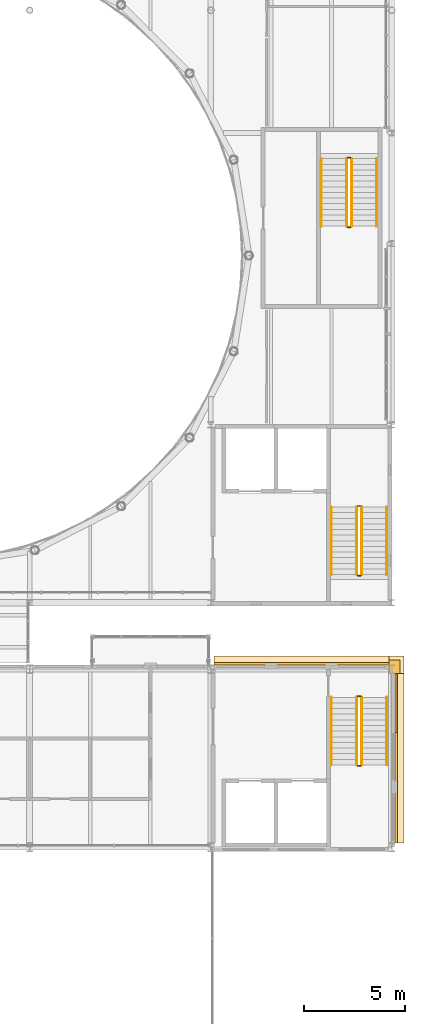
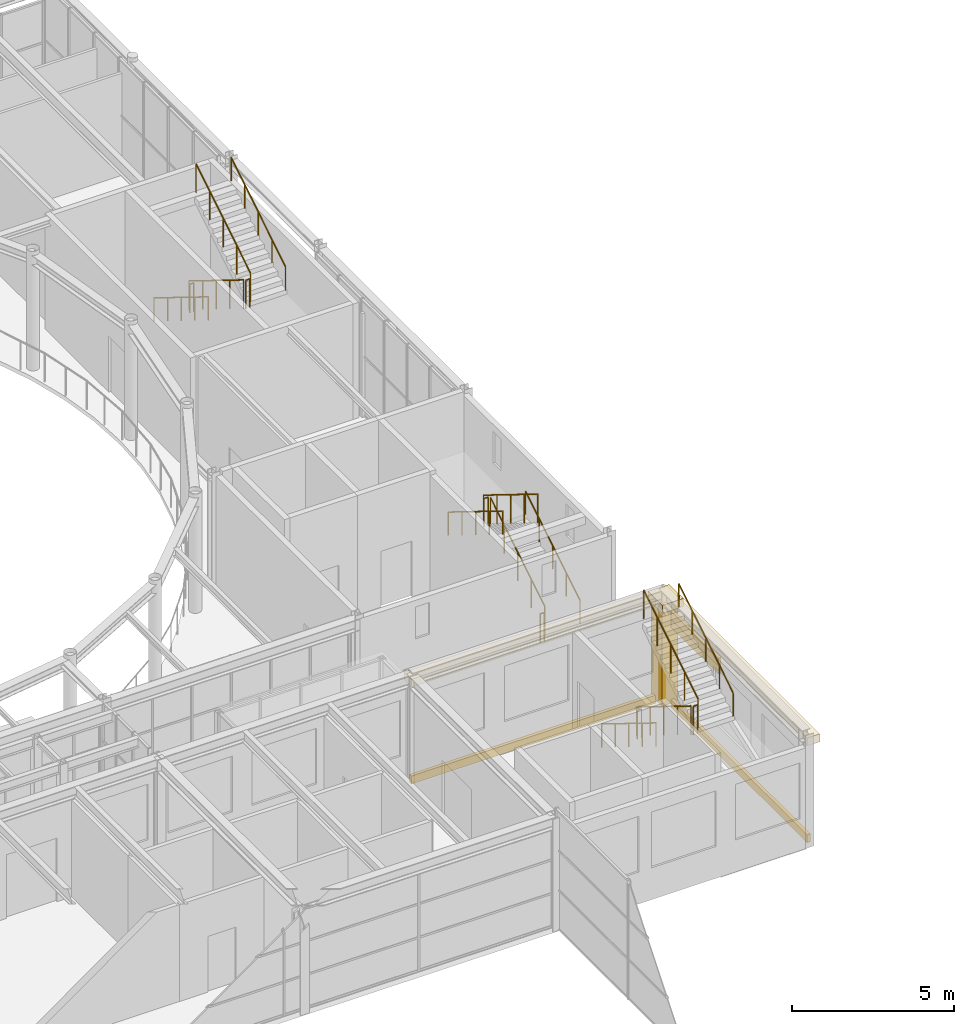
# One storey, part 68 of 70: 18 railings, 8 coverings.
"""IFC4 building model written with IfcOpenShell, lengths in metres."""

from ifc_helpers import new_model, si_unit, direction, frame, origin, origin_2d, place, context, subcontext, project, spatial, rectangle, circle, extrude, material, layer, layer_set, type_object, element, save


model = new_model("IFC4")

# Units and contexts
model_context = context("Model", 3, precision=1e-05, world=origin(), true_north=direction((0.0, 1.0)))
body_context = subcontext(model_context, "Body", "Model", "MODEL_VIEW")
ifc_project = project(units=[si_unit("LENGTHUNIT", "METRE"), si_unit("AREAUNIT", "SQUARE_METRE"), si_unit("VOLUMEUNIT", "CUBIC_METRE"), si_unit("PLANEANGLEUNIT", "RADIAN"), si_unit("MASSUNIT", "GRAM", prefix="KILO")], contexts=[model_context])

# Site, building, storey
site_placement = place(None, origin())
site = spatial("IfcSite", under=ifc_project, at=site_placement, CompositionType="ELEMENT")
building_placement = place(site_placement, origin())
building = spatial("IfcBuilding", under=site, at=building_placement, Name="Kallimachos Central Library", CompositionType="ELEMENT")
storey_placement = place(building_placement, frame((0.0, 0.0, 18.89990234375)))
storey = spatial("IfcBuildingStorey", under=building, at=storey_placement, Name="L04", CompositionType="ELEMENT", Elevation=18.89990234375)

# Coverings
ifc_material_1 = material(Name="Glazed ceramic frieze, green")
ifc_layer_1 = layer(ifc_material_1, 0.10009765625)
ifc_layer_set_1 = layer_set([ifc_layer_1], Name="Glazed ceramic frieze, green")
covering_type_1 = type_object("IfcCoveringType", Name="Glazed ceramic frieze, green", PredefinedType="CLADDING", material=ifc_layer_set_1)
covering_1_placement = place(storey_placement, frame((110.70361328125, 82.1669921875, 3.18017578125), z_axis=(0.0, 0.0, 1.0), x_axis=(1.0, 0.0, 0.0)))
element("IfcCovering", 1, at=covering_1_placement, inside=storey, type_object=covering_type_1, Name="Glazed ceramic frieze, green -L04-021", PredefinedType="CLADDING", context=body_context, shape_type="SweptSolid", body=[
    extrude(rectangle(XDim=0.10009765625, YDim=2.93408203125, at=origin_2d()), origin(), (0.0, 0.0, 1.0), 0.300048828125),
])
ifc_material_2 = material(Name="Glazed ceramic frieze, ochre")
ifc_layer_2 = layer(ifc_material_2, 0.10009765625)
ifc_layer_set_2 = layer_set([ifc_layer_2], Name="Glazed ceramic frieze, ochre")
covering_type_2 = type_object("IfcCoveringType", Name="Glazed ceramic frieze, ochre", PredefinedType="CLADDING", material=ifc_layer_set_2)
covering_2_placement = place(storey_placement, frame((110.70361328125, 82.1669921875, 2.8798828125), z_axis=(0.0, 0.0, 1.0), x_axis=(1.0, 0.0, 0.0)))
element("IfcCovering", 2, at=covering_2_placement, inside=storey, type_object=covering_type_2, Name="Glazed ceramic frieze, ochre -L04-021", PredefinedType="CLADDING", context=body_context, shape_type="SweptSolid", body=[
    extrude(rectangle(XDim=0.10009765625, YDim=2.93408203125, at=origin_2d()), origin(), (0.0, 0.0, 1.0), 0.300048828125),
])

# Railings
ifc_material_3 = material(Name="Wrought iron")
railing_type_1 = type_object("IfcRailingType", Name="Stair guard", PredefinedType="GUARDRAIL", material=ifc_material_3)
railing_1_placement = place(storey_placement, frame((108.75, 82.449951171875, 0.173095703125)))
element("IfcRailing", 3, at=railing_1_placement, inside=storey, type_object=railing_type_1, Name="L04 ST10 stair guard 1", PredefinedType="GUARDRAIL", context=body_context, shape_type="SweptSolid", body=[
    extrude(circle(Radius=0.02392578125, at=origin_2d()), frame((0.0, 0.0, 1.076171875), z_axis=(0.0, -0.850606129759, 0.525803396734), x_axis=(1.0, 0.0, 0.0)), (0.0, 0.0, 1.0), 3.949951171875),
    extrude(circle(Radius=0.02099609375, at=origin_2d()), origin(), (0.0, 0.0, 1.0), 1.052001953125),
    extrude(circle(Radius=0.02099609375, at=origin_2d()), frame((0.0, -0.83984375, 0.519287109375)), (0.0, 0.0, 1.0), 1.052001953125),
    extrude(circle(Radius=0.02099609375, at=origin_2d()), frame((0.0, -1.679931640625, 1.03857421875)), (0.0, 0.0, 1.0), 1.052001953125),
    extrude(circle(Radius=0.02099609375, at=origin_2d()), frame((0.0, -2.52001953125, 1.5576171875)), (0.0, 0.0, 1.0), 1.052001953125),
    extrude(circle(Radius=0.02099609375, at=origin_2d()), frame((0.0, -3.35986328125, 2.076904296875)), (0.0, 0.0, 1.0), 1.052001953125),
])
railing_2_placement = place(storey_placement, frame((108.800048828125, 79.0400390625, 2.25)))
element("IfcRailing", 4, at=railing_2_placement, inside=storey, type_object=railing_type_1, Name="L04 ST10 stair guard 2", PredefinedType="GUARDRAIL", context=body_context, shape_type="SweptSolid", body=[
    extrude(circle(Radius=0.02392578125, at=origin_2d()), frame((0.0, 0.0, 1.076171875), z_axis=(1.0, 0.0, 0.0), x_axis=(0.0, 1.0, 0.0)), (0.0, 0.0, 1.0), 0.14990234375),
    extrude(circle(Radius=0.02099609375, at=origin_2d()), origin(), (0.0, 0.0, 1.0), 1.052001953125),
    extrude(circle(Radius=0.02099609375, at=origin_2d()), frame((0.14990234375, 0.0, 0.0)), (0.0, 0.0, 1.0), 1.052001953125),
])
railing_3_placement = place(storey_placement, frame((109.0, 79.090087890625, 2.423095703125)))
element("IfcRailing", 5, at=railing_3_placement, inside=storey, type_object=railing_type_1, Name="L04 ST10 stair guard 3", PredefinedType="GUARDRAIL", context=body_context, shape_type="SweptSolid", body=[
    extrude(circle(Radius=0.02392578125, at=origin_2d()), frame((0.0, 0.0, 1.076171875), z_axis=(0.0, 0.850606129759, 0.525803396734), x_axis=(-1.0, 0.0, 0.0)), (0.0, 0.0, 1.0), 3.949951171875),
    extrude(circle(Radius=0.02099609375, at=origin_2d()), origin(), (0.0, 0.0, 1.0), 1.052001953125),
    extrude(circle(Radius=0.02099609375, at=origin_2d()), frame((0.0, 0.83984375, 0.519287109375)), (0.0, 0.0, 1.0), 1.052001953125),
    extrude(circle(Radius=0.02099609375, at=origin_2d()), frame((0.0, 1.679931640625, 1.03857421875)), (0.0, 0.0, 1.0), 1.052001953125),
    extrude(circle(Radius=0.02099609375, at=origin_2d()), frame((0.0, 2.52001953125, 1.5576171875)), (0.0, 0.0, 1.0), 1.052001953125),
    extrude(circle(Radius=0.02099609375, at=origin_2d()), frame((0.0, 3.35986328125, 2.076904296875)), (0.0, 0.0, 1.0), 1.052001953125),
])
railing_4_placement = place(storey_placement, frame((108.800048828125, 82.5, 0.0)))
element("IfcRailing", 6, at=railing_4_placement, inside=storey, type_object=railing_type_1, Name="L04 ST10 stair guard 4", PredefinedType="GUARDRAIL", context=body_context, shape_type="SweptSolid", body=[
    extrude(circle(Radius=0.02392578125, at=origin_2d()), frame((0.0, 0.0, 1.076171875), z_axis=(1.0, 0.0, 0.0), x_axis=(0.0, 1.0, 0.0)), (0.0, 0.0, 1.0), 0.14990234375),
    extrude(circle(Radius=0.02099609375, at=origin_2d()), origin(), (0.0, 0.0, 1.0), 1.052001953125),
    extrude(circle(Radius=0.02099609375, at=origin_2d()), frame((0.14990234375, 0.0, 0.0)), (0.0, 0.0, 1.0), 1.052001953125),
])
ifc_material_4 = material(Name="Wrought iron")
railing_type_2 = type_object("IfcRailingType", Name="Stair handrail", PredefinedType="HANDRAIL", material=ifc_material_4)
railing_5_placement = place(storey_placement, frame((107.5, 82.449951171875, 0.173095703125)))
element("IfcRailing", 7, at=railing_5_placement, inside=storey, type_object=railing_type_2, Name="L04 ST10 stair handrail 1", PredefinedType="HANDRAIL", context=body_context, shape_type="SweptSolid", body=[
    extrude(circle(Radius=0.02392578125, at=origin_2d()), frame((0.0, 0.0, 0.8759765625), z_axis=(0.0, -0.850606129759, 0.525803396734), x_axis=(1.0, 0.0, 0.0)), (0.0, 0.0, 1.0), 3.949951171875),
    extrude(circle(Radius=0.02099609375, at=origin_2d()), origin(), (0.0, 0.0, 1.0), 0.851806640625),
    extrude(circle(Radius=0.02099609375, at=origin_2d()), frame((0.0, -0.83984375, 0.519287109375)), (0.0, 0.0, 1.0), 0.851806640625),
    extrude(circle(Radius=0.02099609375, at=origin_2d()), frame((0.0, -1.679931640625, 1.03857421875)), (0.0, 0.0, 1.0), 0.851806640625),
    extrude(circle(Radius=0.02099609375, at=origin_2d()), frame((0.0, -2.52001953125, 1.5576171875)), (0.0, 0.0, 1.0), 0.851806640625),
    extrude(circle(Radius=0.02099609375, at=origin_2d()), frame((0.0, -3.35986328125, 2.076904296875)), (0.0, 0.0, 1.0), 0.851806640625),
])
railing_6_placement = place(storey_placement, frame((110.25, 79.090087890625, 2.423095703125)))
element("IfcRailing", 8, at=railing_6_placement, inside=storey, type_object=railing_type_2, Name="L04 ST10 stair handrail 2", PredefinedType="HANDRAIL", context=body_context, shape_type="SweptSolid", body=[
    extrude(circle(Radius=0.02392578125, at=origin_2d()), frame((0.0, 0.0, 0.8759765625), z_axis=(0.0, 0.850606129759, 0.525803396734), x_axis=(-1.0, 0.0, 0.0)), (0.0, 0.0, 1.0), 3.949951171875),
    extrude(circle(Radius=0.02099609375, at=origin_2d()), origin(), (0.0, 0.0, 1.0), 0.851806640625),
    extrude(circle(Radius=0.02099609375, at=origin_2d()), frame((0.0, 0.83984375, 0.519287109375)), (0.0, 0.0, 1.0), 0.851806640625),
    extrude(circle(Radius=0.02099609375, at=origin_2d()), frame((0.0, 1.679931640625, 1.03857421875)), (0.0, 0.0, 1.0), 0.851806640625),
    extrude(circle(Radius=0.02099609375, at=origin_2d()), frame((0.0, 2.52001953125, 1.5576171875)), (0.0, 0.0, 1.0), 0.851806640625),
    extrude(circle(Radius=0.02099609375, at=origin_2d()), frame((0.0, 3.35986328125, 2.076904296875)), (0.0, 0.0, 1.0), 0.851806640625),
])

# Coverings
ifc_material_5 = material(Name="Pentelic marble attic moulding", Category="masonry")
ifc_layer_3 = layer(ifc_material_5, 0.1201171875)
ifc_layer_set_3 = layer_set([ifc_layer_3], Name="Stone attic moulding 300")
covering_type_3 = type_object("IfcCoveringType", Name="Stone attic moulding 300", PredefinedType="MOLDING", material=ifc_layer_set_3)
covering_3_placement = place(storey_placement, frame((106.0, 84.1259765625, -0.14990234375), z_axis=(0.0, 0.0, 1.0), x_axis=(1.0, 0.0, 0.0)))
element("IfcCovering", 9, at=covering_3_placement, inside=storey, type_object=covering_type_3, Name="Stone attic moulding 300 -L04-019", PredefinedType="MOLDING", context=body_context, shape_type="SweptSolid", body=[
    extrude(rectangle(XDim=8.693115234375, YDim=0.1201171875, at=origin_2d()), origin(), (0.0, 0.0, 1.0), 0.300048828125),
])
covering_4_placement = place(storey_placement, frame((110.71337890625, 79.425048828125, -0.14990234375), z_axis=(0.0, 0.0, 1.0), x_axis=(1.0, 0.0, 0.0)))
element("IfcCovering", 10, at=covering_4_placement, inside=storey, type_object=covering_type_3, Name="Stone attic moulding 300 -L04-021", PredefinedType="MOLDING", context=body_context, shape_type="SweptSolid", body=[
    extrude(rectangle(XDim=0.1201171875, YDim=8.41796875, at=origin_2d()), origin(), (0.0, 0.0, 1.0), 0.300048828125),
])
ifc_material_6 = material(Name="Pentelic marble cornice", Category="masonry")
ifc_layer_4 = layer(ifc_material_6, 0.449951171875)
ifc_layer_set_4 = layer_set([ifc_layer_4], Name="Stone cornice 450")
covering_type_4 = type_object("IfcCoveringType", Name="Stone cornice 450", PredefinedType="MOLDING", material=ifc_layer_set_4)
covering_5_placement = place(storey_placement, frame((106.0, 84.291015625, 3.5), z_axis=(0.0, 0.0, 1.0), x_axis=(1.0, 0.0, 0.0)))
element("IfcCovering", 11, at=covering_5_placement, inside=storey, type_object=covering_type_4, Name="Stone cornice 450 -L04-019", PredefinedType="MOLDING", context=body_context, shape_type="SweptSolid", body=[
    extrude(rectangle(XDim=8.693115234375, YDim=0.449951171875, at=origin_2d()), origin(), (0.0, 0.0, 1.0), 0.300048828125),
])
covering_6_placement = place(storey_placement, frame((110.87841796875, 79.425048828125, 3.5), z_axis=(0.0, 0.0, 1.0), x_axis=(1.0, 0.0, 0.0)))
element("IfcCovering", 12, at=covering_6_placement, inside=storey, type_object=covering_type_4, Name="Stone cornice 450 -L04-021", PredefinedType="MOLDING", context=body_context, shape_type="SweptSolid", body=[
    extrude(rectangle(XDim=0.449951171875, YDim=8.41796875, at=origin_2d()), origin(), (0.0, 0.0, 1.0), 0.300048828125),
])
covering_7_placement = place(storey_placement, frame((110.72509765625, 84.074951171875, 3.5), z_axis=(0.0, 0.0, 1.0), x_axis=(1.0, 0.0, 0.0)))
element("IfcCovering", 13, at=covering_7_placement, inside=storey, type_object=covering_type_4, Name="Stone cornice 450 corner", PredefinedType="MOLDING", context=body_context, shape_type="SweptSolid", body=[
    extrude(rectangle(XDim=0.757080078125, YDim=0.882080078125, at=origin_2d()), origin(), (0.0, 0.0, 1.0), 0.300048828125),
])
ifc_material_7 = material(Name="Pentelic marble pilaster", Category="masonry")
ifc_layer_5 = layer(ifc_material_7, 0.25)
ifc_layer_set_5 = layer_set([ifc_layer_5], Name="Stone pilaster 250")
covering_type_5 = type_object("IfcCoveringType", Name="Stone pilaster 250", PredefinedType="CLADDING", material=ifc_layer_set_5)
covering_8_placement = place(storey_placement, frame((110.625, 83.97509765625, 0.0), z_axis=(0.0, 0.0, 1.0), x_axis=(1.0, 0.0, 0.0)))
element("IfcCovering", 14, at=covering_8_placement, inside=storey, type_object=covering_type_5, Name="Stone pilaster 250 corner", PredefinedType="CLADDING", context=body_context, shape_type="SweptSolid", body=[
    extrude(rectangle(XDim=0.556884765625, YDim=0.681884765625, at=origin_2d()), origin(), (0.0, 0.0, 1.0), 3.5),
])

# Railings
ifc_material_8 = material(Name="Wrought iron")
railing_type_3 = type_object("IfcRailingType", Name="Wrought-iron handrail 900", PredefinedType="HANDRAIL", material=ifc_material_8)
railing_7_placement = place(storey_placement, frame((110.25, 88.550048828125, 0.173095703125)))
element("IfcRailing", 15, at=railing_7_placement, inside=storey, type_object=railing_type_3, Name="L04 ST2 stair handrail 1", PredefinedType="HANDRAIL", context=body_context, shape_type="SweptSolid", body=[
    extrude(circle(Radius=0.02392578125, at=origin_2d()), frame((0.0, 0.0, 0.8759765625), z_axis=(0.0, 0.850606129759, 0.525803396734), x_axis=(-1.0, 0.0, 0.0)), (0.0, 0.0, 1.0), 3.949951171875),
    extrude(circle(Radius=0.02099609375, at=origin_2d()), origin(), (0.0, 0.0, 1.0), 0.851806640625),
    extrude(circle(Radius=0.02099609375, at=origin_2d()), frame((0.0, 0.83984375, 0.519287109375)), (0.0, 0.0, 1.0), 0.851806640625),
    extrude(circle(Radius=0.02099609375, at=origin_2d()), frame((0.0, 1.679931640625, 1.03857421875)), (0.0, 0.0, 1.0), 0.851806640625),
    extrude(circle(Radius=0.02099609375, at=origin_2d()), frame((0.0, 2.52001953125, 1.5576171875)), (0.0, 0.0, 1.0), 0.851806640625),
    extrude(circle(Radius=0.02099609375, at=origin_2d()), frame((0.0, 3.35986328125, 2.076904296875)), (0.0, 0.0, 1.0), 0.851806640625),
])
railing_8_placement = place(storey_placement, frame((107.5, 91.909912109375, 2.423095703125)))
element("IfcRailing", 16, at=railing_8_placement, inside=storey, type_object=railing_type_3, Name="L04 ST2 stair handrail 2", PredefinedType="HANDRAIL", context=body_context, shape_type="SweptSolid", body=[
    extrude(circle(Radius=0.02392578125, at=origin_2d()), frame((0.0, 0.0, 0.8759765625), z_axis=(0.0, -0.850606129759, 0.525803396734), x_axis=(1.0, 0.0, 0.0)), (0.0, 0.0, 1.0), 3.949951171875),
    extrude(circle(Radius=0.02099609375, at=origin_2d()), origin(), (0.0, 0.0, 1.0), 0.851806640625),
    extrude(circle(Radius=0.02099609375, at=origin_2d()), frame((0.0, -0.83984375, 0.519287109375)), (0.0, 0.0, 1.0), 0.851806640625),
    extrude(circle(Radius=0.02099609375, at=origin_2d()), frame((0.0, -1.679931640625, 1.03857421875)), (0.0, 0.0, 1.0), 0.851806640625),
    extrude(circle(Radius=0.02099609375, at=origin_2d()), frame((0.0, -2.52001953125, 1.5576171875)), (0.0, 0.0, 1.0), 0.851806640625),
    extrude(circle(Radius=0.02099609375, at=origin_2d()), frame((0.0, -3.35986328125, 2.076904296875)), (0.0, 0.0, 1.0), 0.851806640625),
])
railing_9_placement = place(storey_placement, frame((107.0, 109.22509765625, 0.173095703125)))
element("IfcRailing", 17, at=railing_9_placement, inside=storey, type_object=railing_type_3, Name="L04 ST4 stair handrail 1", PredefinedType="HANDRAIL", context=body_context, shape_type="SweptSolid", body=[
    extrude(circle(Radius=0.02392578125, at=origin_2d()), frame((0.0, 0.0, 0.8759765625), z_axis=(0.0, -0.850623216509, 0.525775754039), x_axis=(1.0, 0.0, 0.0)), (0.0, 0.0, 1.0), 3.9501953125),
    extrude(circle(Radius=0.02099609375, at=origin_2d()), origin(), (0.0, 0.0, 1.0), 0.851806640625),
    extrude(circle(Radius=0.02099609375, at=origin_2d()), frame((0.0, -0.840087890625, 0.519287109375)), (0.0, 0.0, 1.0), 0.851806640625),
    extrude(circle(Radius=0.02099609375, at=origin_2d()), frame((0.0, -1.68017578125, 1.03857421875)), (0.0, 0.0, 1.0), 0.851806640625),
    extrude(circle(Radius=0.02099609375, at=origin_2d()), frame((0.0, -2.52001953125, 1.5576171875)), (0.0, 0.0, 1.0), 0.851806640625),
    extrude(circle(Radius=0.02099609375, at=origin_2d()), frame((0.0, -3.360107421875, 2.076904296875)), (0.0, 0.0, 1.0), 0.851806640625),
])
railing_10_placement = place(storey_placement, frame((109.75, 105.864990234375, 2.423095703125)))
element("IfcRailing", 18, at=railing_10_placement, inside=storey, type_object=railing_type_3, Name="L04 ST4 stair handrail 2", PredefinedType="HANDRAIL", context=body_context, shape_type="SweptSolid", body=[
    extrude(circle(Radius=0.02392578125, at=origin_2d()), frame((0.0, 0.0, 0.8759765625), z_axis=(0.0, 0.850623216509, 0.525775754039), x_axis=(-1.0, 0.0, 0.0)), (0.0, 0.0, 1.0), 3.9501953125),
    extrude(circle(Radius=0.02099609375, at=origin_2d()), origin(), (0.0, 0.0, 1.0), 0.851806640625),
    extrude(circle(Radius=0.02099609375, at=origin_2d()), frame((0.0, 0.840087890625, 0.519287109375)), (0.0, 0.0, 1.0), 0.851806640625),
    extrude(circle(Radius=0.02099609375, at=origin_2d()), frame((0.0, 1.68017578125, 1.03857421875)), (0.0, 0.0, 1.0), 0.851806640625),
    extrude(circle(Radius=0.02099609375, at=origin_2d()), frame((0.0, 2.52001953125, 1.5576171875)), (0.0, 0.0, 1.0), 0.851806640625),
    extrude(circle(Radius=0.02099609375, at=origin_2d()), frame((0.0, 3.360107421875, 2.076904296875)), (0.0, 0.0, 1.0), 0.851806640625),
])
ifc_material_9 = material(Name="Wrought iron")
railing_type_4 = type_object("IfcRailingType", Name="Wrought-iron stair guard 1100", PredefinedType="GUARDRAIL", material=ifc_material_9)
railing_11_placement = place(storey_placement, frame((109.0, 88.550048828125, 0.173095703125)))
element("IfcRailing", 19, at=railing_11_placement, inside=storey, type_object=railing_type_4, Name="L04 ST2 stair guard 1", PredefinedType="GUARDRAIL", context=body_context, shape_type="SweptSolid", body=[
    extrude(circle(Radius=0.02392578125, at=origin_2d()), frame((0.0, 0.0, 1.076171875), z_axis=(0.0, 0.850606129759, 0.525803396734), x_axis=(-1.0, 0.0, 0.0)), (0.0, 0.0, 1.0), 3.949951171875),
    extrude(circle(Radius=0.02099609375, at=origin_2d()), origin(), (0.0, 0.0, 1.0), 1.052001953125),
    extrude(circle(Radius=0.02099609375, at=origin_2d()), frame((0.0, 0.83984375, 0.519287109375)), (0.0, 0.0, 1.0), 1.052001953125),
    extrude(circle(Radius=0.02099609375, at=origin_2d()), frame((0.0, 1.679931640625, 1.03857421875)), (0.0, 0.0, 1.0), 1.052001953125),
    extrude(circle(Radius=0.02099609375, at=origin_2d()), frame((0.0, 2.52001953125, 1.5576171875)), (0.0, 0.0, 1.0), 1.052001953125),
    extrude(circle(Radius=0.02099609375, at=origin_2d()), frame((0.0, 3.35986328125, 2.076904296875)), (0.0, 0.0, 1.0), 1.052001953125),
])
railing_12_placement = place(storey_placement, frame((108.949951171875, 91.9599609375, 2.25)))
element("IfcRailing", 20, at=railing_12_placement, inside=storey, type_object=railing_type_4, Name="L04 ST2 stair guard 2", PredefinedType="GUARDRAIL", context=body_context, shape_type="SweptSolid", body=[
    extrude(circle(Radius=0.02392578125, at=origin_2d()), frame((0.0, 0.0, 1.076171875), z_axis=(-1.0, 0.0, 0.0), x_axis=(0.0, -1.0, 0.0)), (0.0, 0.0, 1.0), 0.14990234375),
    extrude(circle(Radius=0.02099609375, at=origin_2d()), origin(), (0.0, 0.0, 1.0), 1.052001953125),
    extrude(circle(Radius=0.02099609375, at=origin_2d()), frame((-0.14990234375, 0.0, 0.0)), (0.0, 0.0, 1.0), 1.052001953125),
])
railing_13_placement = place(storey_placement, frame((108.75, 91.909912109375, 2.423095703125)))
element("IfcRailing", 21, at=railing_13_placement, inside=storey, type_object=railing_type_4, Name="L04 ST2 stair guard 3", PredefinedType="GUARDRAIL", context=body_context, shape_type="SweptSolid", body=[
    extrude(circle(Radius=0.02392578125, at=origin_2d()), frame((0.0, 0.0, 1.076171875), z_axis=(0.0, -0.850606129759, 0.525803396734), x_axis=(1.0, 0.0, 0.0)), (0.0, 0.0, 1.0), 3.949951171875),
    extrude(circle(Radius=0.02099609375, at=origin_2d()), origin(), (0.0, 0.0, 1.0), 1.052001953125),
    extrude(circle(Radius=0.02099609375, at=origin_2d()), frame((0.0, -0.83984375, 0.519287109375)), (0.0, 0.0, 1.0), 1.052001953125),
    extrude(circle(Radius=0.02099609375, at=origin_2d()), frame((0.0, -1.679931640625, 1.03857421875)), (0.0, 0.0, 1.0), 1.052001953125),
    extrude(circle(Radius=0.02099609375, at=origin_2d()), frame((0.0, -2.52001953125, 1.5576171875)), (0.0, 0.0, 1.0), 1.052001953125),
    extrude(circle(Radius=0.02099609375, at=origin_2d()), frame((0.0, -3.35986328125, 2.076904296875)), (0.0, 0.0, 1.0), 1.052001953125),
])
railing_14_placement = place(storey_placement, frame((108.949951171875, 88.5, 0.0)))
element("IfcRailing", 22, at=railing_14_placement, inside=storey, type_object=railing_type_4, Name="L04 ST2 stair guard 4", PredefinedType="GUARDRAIL", context=body_context, shape_type="SweptSolid", body=[
    extrude(circle(Radius=0.02392578125, at=origin_2d()), frame((0.0, 0.0, 1.076171875), z_axis=(-1.0, 0.0, 0.0), x_axis=(0.0, -1.0, 0.0)), (0.0, 0.0, 1.0), 0.14990234375),
    extrude(circle(Radius=0.02099609375, at=origin_2d()), origin(), (0.0, 0.0, 1.0), 1.052001953125),
    extrude(circle(Radius=0.02099609375, at=origin_2d()), frame((-0.14990234375, 0.0, 0.0)), (0.0, 0.0, 1.0), 1.052001953125),
])
railing_15_placement = place(storey_placement, frame((108.25, 109.22509765625, 0.173095703125)))
element("IfcRailing", 23, at=railing_15_placement, inside=storey, type_object=railing_type_4, Name="L04 ST4 stair guard 1", PredefinedType="GUARDRAIL", context=body_context, shape_type="SweptSolid", body=[
    extrude(circle(Radius=0.02392578125, at=origin_2d()), frame((0.0, 0.0, 1.076171875), z_axis=(0.0, -0.850623216509, 0.525775754039), x_axis=(1.0, 0.0, 0.0)), (0.0, 0.0, 1.0), 3.9501953125),
    extrude(circle(Radius=0.02099609375, at=origin_2d()), origin(), (0.0, 0.0, 1.0), 1.052001953125),
    extrude(circle(Radius=0.02099609375, at=origin_2d()), frame((0.0, -0.840087890625, 0.519287109375)), (0.0, 0.0, 1.0), 1.052001953125),
    extrude(circle(Radius=0.02099609375, at=origin_2d()), frame((0.0, -1.68017578125, 1.03857421875)), (0.0, 0.0, 1.0), 1.052001953125),
    extrude(circle(Radius=0.02099609375, at=origin_2d()), frame((0.0, -2.52001953125, 1.5576171875)), (0.0, 0.0, 1.0), 1.052001953125),
    extrude(circle(Radius=0.02099609375, at=origin_2d()), frame((0.0, -3.360107421875, 2.076904296875)), (0.0, 0.0, 1.0), 1.052001953125),
])
railing_16_placement = place(storey_placement, frame((108.300048828125, 105.81494140625, 2.25)))
element("IfcRailing", 24, at=railing_16_placement, inside=storey, type_object=railing_type_4, Name="L04 ST4 stair guard 2", PredefinedType="GUARDRAIL", context=body_context, shape_type="SweptSolid", body=[
    extrude(circle(Radius=0.02392578125, at=origin_2d()), frame((0.0, 0.0, 1.076171875), z_axis=(1.0, 0.0, 0.0), x_axis=(0.0, 1.0, 0.0)), (0.0, 0.0, 1.0), 0.14990234375),
    extrude(circle(Radius=0.02099609375, at=origin_2d()), origin(), (0.0, 0.0, 1.0), 1.052001953125),
    extrude(circle(Radius=0.02099609375, at=origin_2d()), frame((0.14990234375, 0.0, 0.0)), (0.0, 0.0, 1.0), 1.052001953125),
])
railing_17_placement = place(storey_placement, frame((108.5, 105.864990234375, 2.423095703125)))
element("IfcRailing", 25, at=railing_17_placement, inside=storey, type_object=railing_type_4, Name="L04 ST4 stair guard 3", PredefinedType="GUARDRAIL", context=body_context, shape_type="SweptSolid", body=[
    extrude(circle(Radius=0.02392578125, at=origin_2d()), frame((0.0, 0.0, 1.076171875), z_axis=(0.0, 0.850623216509, 0.525775754039), x_axis=(-1.0, 0.0, 0.0)), (0.0, 0.0, 1.0), 3.9501953125),
    extrude(circle(Radius=0.02099609375, at=origin_2d()), origin(), (0.0, 0.0, 1.0), 1.052001953125),
    extrude(circle(Radius=0.02099609375, at=origin_2d()), frame((0.0, 0.840087890625, 0.519287109375)), (0.0, 0.0, 1.0), 1.052001953125),
    extrude(circle(Radius=0.02099609375, at=origin_2d()), frame((0.0, 1.68017578125, 1.03857421875)), (0.0, 0.0, 1.0), 1.052001953125),
    extrude(circle(Radius=0.02099609375, at=origin_2d()), frame((0.0, 2.52001953125, 1.5576171875)), (0.0, 0.0, 1.0), 1.052001953125),
    extrude(circle(Radius=0.02099609375, at=origin_2d()), frame((0.0, 3.360107421875, 2.076904296875)), (0.0, 0.0, 1.0), 1.052001953125),
])
railing_18_placement = place(storey_placement, frame((108.300048828125, 109.27490234375, 0.0)))
element("IfcRailing", 26, at=railing_18_placement, inside=storey, type_object=railing_type_4, Name="L04 ST4 stair guard 4", PredefinedType="GUARDRAIL", context=body_context, shape_type="SweptSolid", body=[
    extrude(circle(Radius=0.02392578125, at=origin_2d()), frame((0.0, 0.0, 1.076171875), z_axis=(1.0, 0.0, 0.0), x_axis=(0.0, 1.0, 0.0)), (0.0, 0.0, 1.0), 0.14990234375),
    extrude(circle(Radius=0.02099609375, at=origin_2d()), origin(), (0.0, 0.0, 1.0), 1.052001953125),
    extrude(circle(Radius=0.02099609375, at=origin_2d()), frame((0.14990234375, 0.0, 0.0)), (0.0, 0.0, 1.0), 1.052001953125),
])

save(model, "model.ifc")
